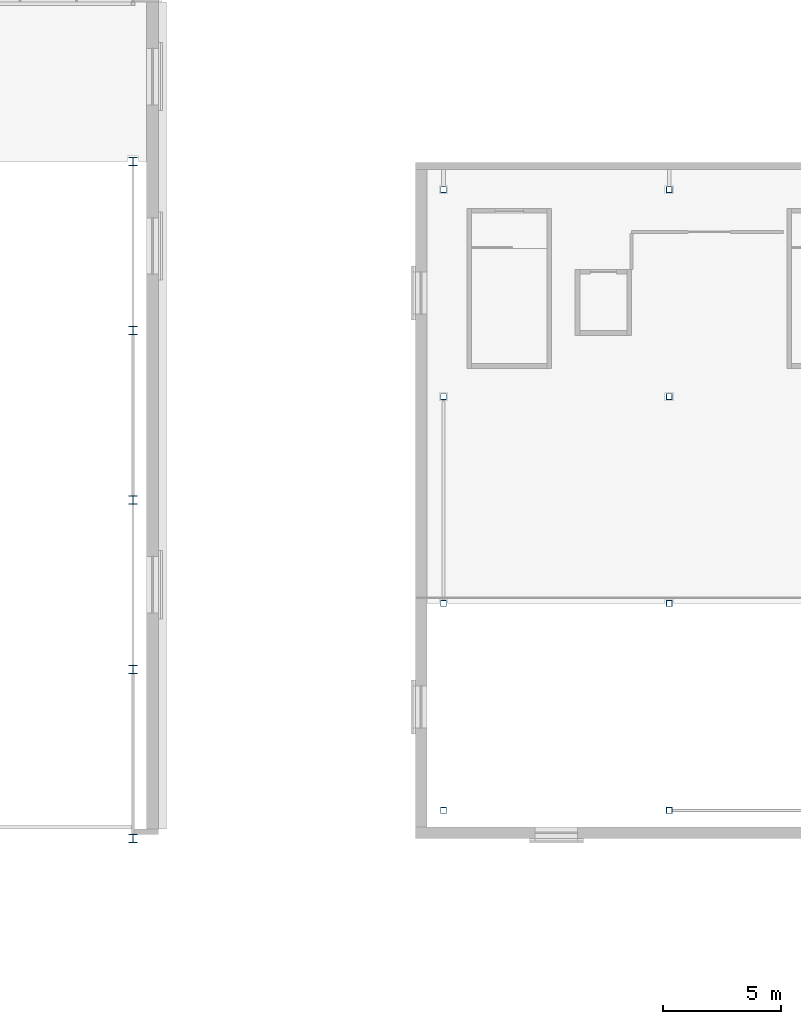
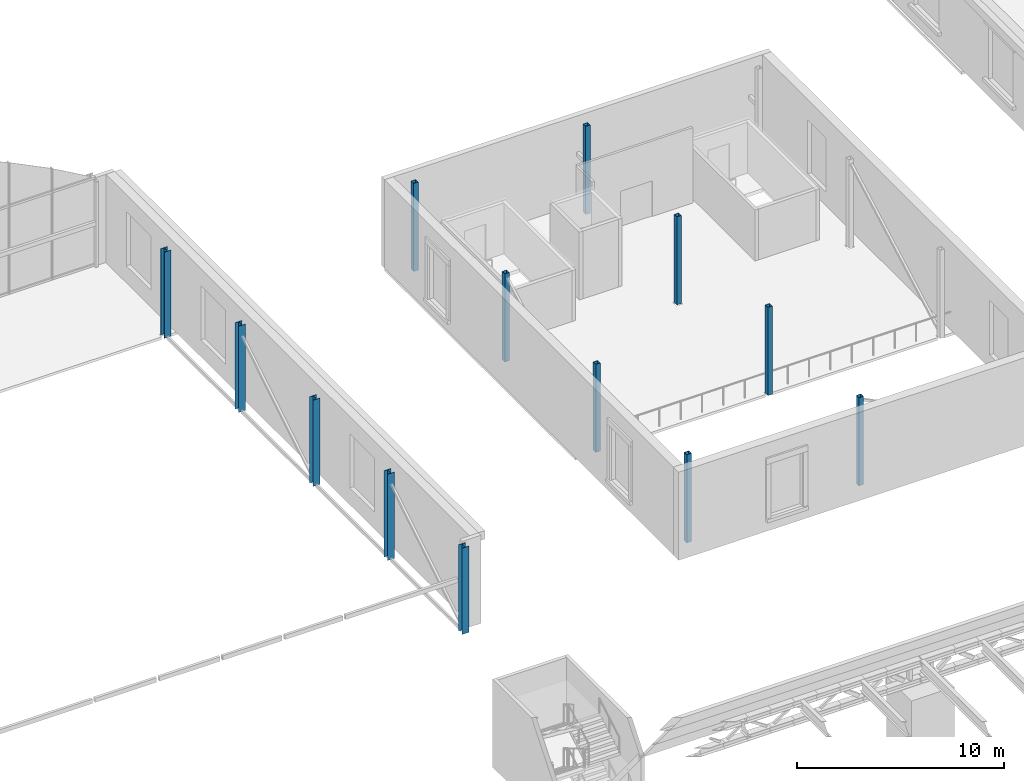
# One storey, part 8 of 93: 13 columns.
"""IFC4 building model written with IfcOpenShell, lengths in metres."""

from ifc_helpers import new_model, si_unit, direction, frame, origin, origin_2d, place, context, subcontext, project, spatial, hollow_rectangle, i_section, extrude, material, material_profile, profile_set, type_object, element, save


model = new_model("IFC4")

# Units and contexts
model_context = context("Model", 3, precision=1e-05, world=origin(), true_north=direction((0.0, 1.0)))
body_context = subcontext(model_context, "Body", "Model", "MODEL_VIEW")
ifc_project = project(units=[si_unit("LENGTHUNIT", "METRE"), si_unit("AREAUNIT", "SQUARE_METRE"), si_unit("VOLUMEUNIT", "CUBIC_METRE"), si_unit("PLANEANGLEUNIT", "RADIAN"), si_unit("MASSUNIT", "GRAM", prefix="KILO")], contexts=[model_context])

# Site, building, storey
site_placement = place(None, origin())
site = spatial("IfcSite", under=ifc_project, at=site_placement, CompositionType="ELEMENT")
building_placement = place(site_placement, origin())
building = spatial("IfcBuilding", under=site, at=building_placement, Name="Verrick Yard Athletic Hall", CompositionType="ELEMENT")
storey_placement = place(building_placement, frame((0.0, 0.0, 8.800048828125)))
storey = spatial("IfcBuildingStorey", under=building, at=storey_placement, Name="L02", CompositionType="ELEMENT", Elevation=8.800048828125)

# Columns
ifc_material_1 = material(Name="Structural steel HSS Class C 350W (CSA G40.20/G40.21)", Category="steel")
ifc_material_profile_1 = material_profile(ifc_material_1, hollow_rectangle(XDim=0.25390625, YDim=0.25390625, WallThickness=0.0126953125, at=origin_2d()), Name="HSS254x254x13")
ifc_profile_set_1 = profile_set([ifc_material_profile_1], Name="Structural steel HSS Class C 350W (CSA G40.20/G40.21)")
column_type_1 = type_object("IfcColumnType", Name="HB column HSS254x254x13", PredefinedType="COLUMN", material=ifc_profile_set_1)
for number, where, z_axis, x_axis, name in (
    (1, (89.199951171875, 73.199951171875, 0.0), (0.0, 0.0, 1.0), (1.0, 0.0, 0.0), "HB-C-CH11-L02"),
    (2, (89.199951171875, 82.0, 0.0), (0.0, 0.0, 1.0), (1.0, 0.0, 0.0), "HB-C-CH12-L02"),
    (3, (89.199951171875, 90.800048828125, 0.0), (0.0, 0.0, 1.0), (1.0, 0.0, 0.0), "HB-C-CH13-L02"),
    (4, (89.199951171875, 99.60009765625, 0.0), (0.0, 0.0, 1.0), (1.0, 0.0, 0.0), "HB-C-CH14-L02"),
    (5, (98.800048828125, 73.199951171875, 0.0), (0.0, 0.0, 1.0), (1.0, 0.0, 0.0), "HB-C-CH21-L02"),
    (6, (98.800048828125, 82.0, 0.0), (0.0, 0.0, 1.0), (1.0, 0.0, 0.0), "HB-C-CH22-L02"),
    (7, (98.800048828125, 90.800048828125, 0.0), (0.0, 0.0, 1.0), (1.0, 0.0, 0.0), "HB-C-CH23-L02"),
    (8, (98.800048828125, 99.60009765625, 0.0), (0.0, 0.0, 1.0), (1.0, 0.0, 0.0), "HB-C-CH24-L02"),
):
    element("IfcColumn", number, at=place(storey_placement, frame(where, z_axis=z_axis, x_axis=x_axis)), inside=storey, type_object=column_type_1, Name=name, PredefinedType="COLUMN", context=body_context, shape_type="SweptSolid", body=[
        extrude(hollow_rectangle(XDim=0.25390625, YDim=0.25390625, WallThickness=0.0126953125, at=origin_2d()), origin(), (0.0, 0.0, 1.0), 5.199951171875),
    ])
ifc_material_2 = material(Name="Structural steel 350W (CSA G40.21)", Category="steel")
ifc_material_profile_2 = material_profile(ifc_material_2, i_section(OverallWidth=0.368896484375, OverallDepth=0.35595703125, WebThickness=0.01123046875, FlangeThickness=0.01806640625, at=origin_2d()), Name="W360x134")
ifc_profile_set_2 = profile_set([ifc_material_profile_2], Name="Structural steel 350W (CSA G40.21)")
column_type_2 = type_object("IfcColumnType", Name="HB column W360x134", PredefinedType="COLUMN", material=ifc_profile_set_2)
for number, where, z_axis, x_axis, name in (
    (9, (76.0, 72.0, 0.0), (0.0, 0.0, 1.0), (1.0, 0.0, 0.0), "HB-C-HBE1-L02"),
    (10, (76.0, 79.199951171875, 0.0), (0.0, 0.0, 1.0), (1.0, 0.0, 0.0), "HB-C-HBE2-L02"),
    (11, (76.0, 86.39990234375, 0.0), (0.0, 0.0, 1.0), (1.0, 0.0, 0.0), "HB-C-HBE3-L02"),
    (12, (76.0, 93.60009765625, 0.0), (0.0, 0.0, 1.0), (1.0, 0.0, 0.0), "HB-C-HBE4-L02"),
    (13, (76.0, 100.800048828125, 0.0), (0.0, 0.0, 1.0), (1.0, 0.0, 0.0), "HB-C-HBE5-L02"),
):
    element("IfcColumn", number, at=place(storey_placement, frame(where, z_axis=z_axis, x_axis=x_axis)), inside=storey, type_object=column_type_2, Name=name, PredefinedType="COLUMN", context=body_context, shape_type="SweptSolid", body=[
        extrude(i_section(OverallWidth=0.368896484375, OverallDepth=0.35595703125, WebThickness=0.01123046875, FlangeThickness=0.01806640625, at=origin_2d()), origin(), (0.0, 0.0, 1.0), 5.089111328125),
    ])

save(model, "model.ifc")
